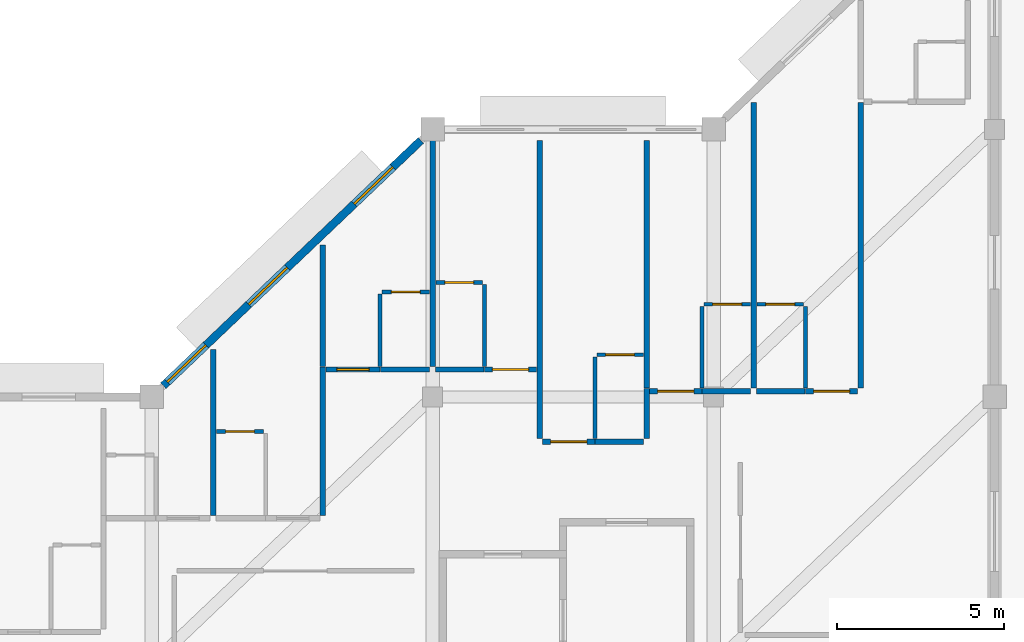
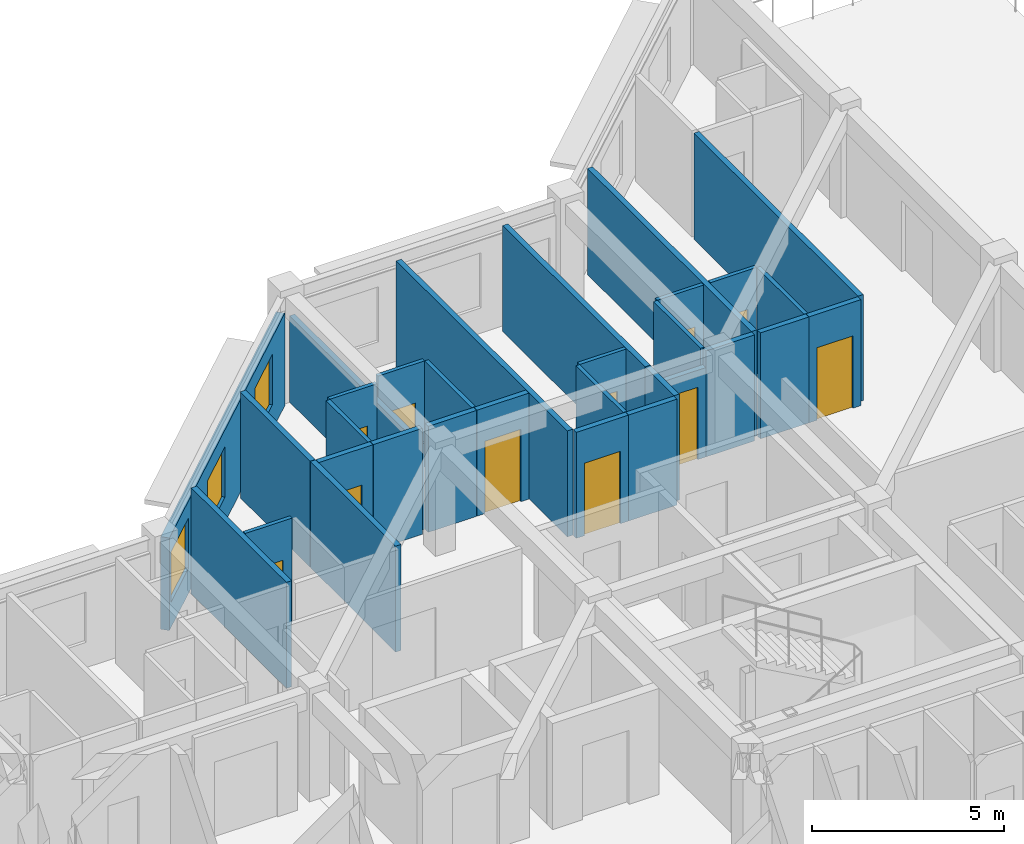
# One storey, part 11 of 15: 31 walls, 11 doors, 3 windows, 14 openings.
"""IFC4 building model written with IfcOpenShell, lengths in metres."""

from ifc_helpers import new_model, si_unit, direction, frame, frame_2d, origin, place, context, subcontext, project, spatial, rectangle, extrude, material, layer, layer_set, type_object, element, fill, save


model = new_model("IFC4")

# Units and contexts
model_context = context("Model", 3, precision=1e-05, world=origin(), true_north=direction((0.0, 1.0)))
body_context = subcontext(model_context, "Body", "Model", "MODEL_VIEW")
ifc_project = project(units=[si_unit("LENGTHUNIT", "METRE"), si_unit("AREAUNIT", "SQUARE_METRE"), si_unit("VOLUMEUNIT", "CUBIC_METRE"), si_unit("PLANEANGLEUNIT", "RADIAN"), si_unit("MASSUNIT", "GRAM", prefix="KILO")], contexts=[model_context])

# Site, building, storey
site_placement = place(None, origin())
site = spatial("IfcSite", under=ifc_project, at=site_placement, CompositionType="ELEMENT")
building_placement = place(site_placement, origin())
building = spatial("IfcBuilding", under=site, at=building_placement, Name="Naruveol Harbour Congress Hotel", CompositionType="ELEMENT")
storey_placement = place(building_placement, frame((0.0, 0.0, 36.0)))
storey = spatial("IfcBuildingStorey", under=building, at=storey_placement, Name="L08", CompositionType="ELEMENT", Elevation=36.0)

# Wall, opening, door
ifc_material_1 = material(Name="Moisture-Resistant Gypsum Partition", Category="gypsum")
ifc_layer_1 = layer(ifc_material_1, 0.114990234375)
ifc_layer_set_1 = layer_set([ifc_layer_1], Name="Moisture-Resistant Gypsum Partition")
wall_type_1 = type_object("IfcWallType", Name="BATHROOM MOISTURE PARTITION WALL 115", PredefinedType="PARTITIONING", material=ifc_layer_set_1)
wall_1_placement = place(storey_placement, frame((144.739990234375, 30.969970703125, 0.0), z_axis=(0.0, 0.0, 1.0), x_axis=(1.0, 0.0, 0.0)))
wall_1 = element("IfcWall", 1, at=wall_1_placement, inside=storey, type_object=wall_type_1, Name="Bathroom north wall 0944 PW-115", PredefinedType="PARTITIONING", context=body_context, shape_type="SweptSolid", body=[
    extrude(rectangle(XDim=1.409912109375, YDim=0.114990234375, at=frame_2d((0.705078125, 0.0))), origin(), (0.0, 0.0, 1.0), 3.364990234375),
])
opening_1_placement = place(wall_1_placement, frame((0.27490234375, 0.0, 0.0)))
opening_1 = element("IfcOpeningElement", 2, at=opening_1_placement, cuts=wall_1, Name="Opening BD-RM0944", PredefinedType="OPENING", context=body_context, shape_type="SweptSolid", body=[
    extrude(rectangle(XDim=0.860107421875, YDim=2.1201171875, at=frame_2d((0.43017578125, 1.06005859375))), frame((0.0, 0.0673828125, 0.0), z_axis=(0.0, -1.0, 0.0), x_axis=(1.0, 0.0, 0.0)), (0.0, 0.0, 1.0), 0.135009765625),
])
ifc_material_2 = material(Name="Timber & Steel Acoustic Leaf", Category="steel")
door_type_1 = type_object("IfcDoorType", Name="GUEST BATHROOM DOOR 860X2120", OperationType="NOTDEFINED", PredefinedType="DOOR", material=ifc_material_2)
door_1_placement = place(opening_1_placement, origin())
door_1 = element("IfcDoor", 3, at=door_1_placement, inside=storey, type_object=door_type_1, Name="Bathroom Door 0944", OperationType="SINGLE_SWING_RIGHT", OverallHeight=2.1201171875, OverallWidth=0.860107421875, PredefinedType="DOOR", context=body_context, shape_type="SweptSolid", body=[
    extrude(rectangle(XDim=0.860107421875, YDim=2.1201171875, at=frame_2d((0.43017578125, 1.06005859375))), frame((0.0, 0.02490234375, 0.0), z_axis=(0.0, -1.0, 0.0), x_axis=(1.0, 0.0, 0.0)), (0.0, 0.0, 1.0), 0.050048828125),
])
fill(opening_1, door_1)

# Wall
wall_2_placement = place(storey_placement, frame((149.6298828125, 32.909912109375, 0.0), z_axis=(0.0, 0.0, 1.0), x_axis=(0.0, 1.0, 0.0)))
element("IfcWall", 4, at=wall_2_placement, inside=storey, type_object=wall_type_1, Name="Bathroom west wall 0945 PW-115", PredefinedType="PARTITIONING", context=body_context, shape_type="SweptSolid", body=[
    extrude(rectangle(XDim=2.170166015625, YDim=0.114990234375, at=frame_2d((1.0849609375, 0.0))), origin(), (0.0, 0.0, 1.0), 3.364990234375),
])

# Wall, opening, door
wall_3_placement = place(storey_placement, frame((149.68994140625, 35.139892578125, 0.0), z_axis=(0.0, 0.0, 1.0), x_axis=(1.0, 0.0, 0.0)))
wall_3 = element("IfcWall", 5, at=wall_3_placement, inside=storey, type_object=wall_type_1, Name="Bathroom north wall 0945 PW-115", PredefinedType="PARTITIONING", context=body_context, shape_type="SweptSolid", body=[
    extrude(rectangle(XDim=1.41015625, YDim=0.114990234375, at=frame_2d((0.705078125, 0.0))), origin(), (0.0, 0.0, 1.0), 3.364990234375),
])
opening_2_placement = place(wall_3_placement, frame((0.27490234375, 0.0, 0.0)))
opening_2 = element("IfcOpeningElement", 6, at=opening_2_placement, cuts=wall_3, Name="Opening BD-RM0945", PredefinedType="OPENING", context=body_context, shape_type="SweptSolid", body=[
    extrude(rectangle(XDim=0.860107421875, YDim=2.1201171875, at=frame_2d((0.43017578125, 1.06005859375))), frame((0.0, 0.0673828125, 0.0), z_axis=(0.0, -1.0, 0.0), x_axis=(1.0, 0.0, 0.0)), (0.0, 0.0, 1.0), 0.135009765625),
])
door_2_placement = place(opening_2_placement, origin())
door_2 = element("IfcDoor", 7, at=door_2_placement, inside=storey, type_object=door_type_1, Name="Bathroom Door 0945", OperationType="SINGLE_SWING_RIGHT", OverallHeight=2.1201171875, OverallWidth=0.860107421875, PredefinedType="DOOR", context=body_context, shape_type="SweptSolid", body=[
    extrude(rectangle(XDim=0.860107421875, YDim=2.1201171875, at=frame_2d((0.43017578125, 1.06005859375))), frame((0.0, 0.02490234375, 0.0), z_axis=(0.0, -1.0, 0.0), x_axis=(1.0, 0.0, 0.0)), (0.0, 0.0, 1.0), 0.050048828125),
])
fill(opening_2, door_2)

# Wall
wall_4_placement = place(storey_placement, frame((152.75, 32.909912109375, 0.0), z_axis=(0.0, 0.0, 1.0), x_axis=(0.0, 1.0, 0.0)))
element("IfcWall", 8, at=wall_4_placement, inside=storey, type_object=wall_type_1, Name="Bathroom east wall 0946 PW-115", PredefinedType="PARTITIONING", context=body_context, shape_type="SweptSolid", body=[
    extrude(rectangle(XDim=2.4501953125, YDim=0.114990234375, at=frame_2d((1.22509765625, 0.0))), origin(), (0.0, 0.0, 1.0), 3.364990234375),
])

# Wall, opening, door
wall_5_placement = place(storey_placement, frame((151.300048828125, 35.419921875, 0.0), z_axis=(0.0, 0.0, 1.0), x_axis=(1.0, 0.0, 0.0)))
wall_5 = element("IfcWall", 9, at=wall_5_placement, inside=storey, type_object=wall_type_1, Name="Bathroom north wall 0946 PW-115", PredefinedType="PARTITIONING", context=body_context, shape_type="SweptSolid", body=[
    extrude(rectangle(XDim=1.389892578125, YDim=0.114990234375, at=frame_2d((0.69482421875, 0.0))), origin(), (0.0, 0.0, 1.0), 3.364990234375),
])
opening_3_placement = place(wall_5_placement, frame((0.264892578125, 0.0, 0.0)))
opening_3 = element("IfcOpeningElement", 10, at=opening_3_placement, cuts=wall_5, Name="Opening BD-RM0946", PredefinedType="OPENING", context=body_context, shape_type="SweptSolid", body=[
    extrude(rectangle(XDim=0.860107421875, YDim=2.1201171875, at=frame_2d((0.43017578125, 1.06005859375))), frame((0.0, 0.0673828125, 0.0), z_axis=(0.0, -1.0, 0.0), x_axis=(1.0, 0.0, 0.0)), (0.0, 0.0, 1.0), 0.135009765625),
])
door_3_placement = place(opening_3_placement, origin())
door_3 = element("IfcDoor", 11, at=door_3_placement, inside=storey, type_object=door_type_1, Name="Bathroom Door 0946", OperationType="SINGLE_SWING_RIGHT", OverallHeight=2.1201171875, OverallWidth=0.860107421875, PredefinedType="DOOR", context=body_context, shape_type="SweptSolid", body=[
    extrude(rectangle(XDim=0.860107421875, YDim=2.1201171875, at=frame_2d((0.43017578125, 1.06005859375))), frame((0.0, 0.02490234375, 0.0), z_axis=(0.0, -1.0, 0.0), x_axis=(1.0, 0.0, 0.0)), (0.0, 0.0, 1.0), 0.050048828125),
])
fill(opening_3, door_3)

# Wall
wall_6_placement = place(storey_placement, frame((156.050048828125, 30.75, 0.0), z_axis=(0.0, 0.0, 1.0), x_axis=(0.0, 1.0, 0.0)))
element("IfcWall", 12, at=wall_6_placement, inside=storey, type_object=wall_type_1, Name="Bathroom west wall 0947 PW-115", PredefinedType="PARTITIONING", context=body_context, shape_type="SweptSolid", body=[
    extrude(rectangle(XDim=2.449951171875, YDim=0.114990234375, at=frame_2d((1.22509765625, 0.0))), origin(), (0.0, 0.0, 1.0), 3.364990234375),
])

# Wall, opening, door
wall_7_placement = place(storey_placement, frame((156.110107421875, 33.260009765625, 0.0), z_axis=(0.0, 0.0, 1.0), x_axis=(1.0, 0.0, 0.0)))
wall_7 = element("IfcWall", 13, at=wall_7_placement, inside=storey, type_object=wall_type_1, Name="Bathroom north wall 0947 PW-115", PredefinedType="PARTITIONING", context=body_context, shape_type="SweptSolid", body=[
    extrude(rectangle(XDim=1.389892578125, YDim=0.114990234375, at=frame_2d((0.69482421875, 0.0))), origin(), (0.0, 0.0, 1.0), 3.364990234375),
])
opening_4_placement = place(wall_7_placement, frame((0.264892578125, 0.0, 0.0)))
opening_4 = element("IfcOpeningElement", 14, at=opening_4_placement, cuts=wall_7, Name="Opening BD-RM0947", PredefinedType="OPENING", context=body_context, shape_type="SweptSolid", body=[
    extrude(rectangle(XDim=0.860107421875, YDim=2.1201171875, at=frame_2d((0.43017578125, 1.06005859375))), frame((0.0, 0.0673828125, 0.0), z_axis=(0.0, -1.0, 0.0), x_axis=(1.0, 0.0, 0.0)), (0.0, 0.0, 1.0), 0.135009765625),
])
door_4_placement = place(opening_4_placement, origin())
door_4 = element("IfcDoor", 15, at=door_4_placement, inside=storey, type_object=door_type_1, Name="Bathroom Door 0947", OperationType="SINGLE_SWING_RIGHT", OverallHeight=2.1201171875, OverallWidth=0.860107421875, PredefinedType="DOOR", context=body_context, shape_type="SweptSolid", body=[
    extrude(rectangle(XDim=0.860107421875, YDim=2.1201171875, at=frame_2d((0.43017578125, 1.06005859375))), frame((0.0, 0.02490234375, 0.0), z_axis=(0.0, -1.0, 0.0), x_axis=(1.0, 0.0, 0.0)), (0.0, 0.0, 1.0), 0.050048828125),
])
fill(opening_4, door_4)

# Wall
wall_8_placement = place(storey_placement, frame((159.25, 32.260009765625, 0.0), z_axis=(0.0, 0.0, 1.0), x_axis=(0.0, 1.0, 0.0)))
element("IfcWall", 16, at=wall_8_placement, inside=storey, type_object=wall_type_1, Name="Bathroom west wall 0948 PW-115", PredefinedType="PARTITIONING", context=body_context, shape_type="SweptSolid", body=[
    extrude(rectangle(XDim=2.449951171875, YDim=0.114990234375, at=frame_2d((1.22509765625, 0.0))), origin(), (0.0, 0.0, 1.0), 3.364990234375),
])

# Wall, opening, door
wall_9_placement = place(storey_placement, frame((159.31005859375, 34.77001953125, 0.0), z_axis=(0.0, 0.0, 1.0), x_axis=(1.0, 0.0, 0.0)))
wall_9 = element("IfcWall", 17, at=wall_9_placement, inside=storey, type_object=wall_type_1, Name="Bathroom north wall 0948 PW-115", PredefinedType="PARTITIONING", context=body_context, shape_type="SweptSolid", body=[
    extrude(rectangle(XDim=1.389892578125, YDim=0.114990234375, at=frame_2d((0.69482421875, 0.0))), origin(), (0.0, 0.0, 1.0), 3.364990234375),
])
opening_5_placement = place(wall_9_placement, frame((0.264892578125, 0.0, 0.0)))
opening_5 = element("IfcOpeningElement", 18, at=opening_5_placement, cuts=wall_9, Name="Opening BD-RM0948", PredefinedType="OPENING", context=body_context, shape_type="SweptSolid", body=[
    extrude(rectangle(XDim=0.860107421875, YDim=2.1201171875, at=frame_2d((0.43017578125, 1.06005859375))), frame((0.0, 0.0673828125, 0.0), z_axis=(0.0, -1.0, 0.0), x_axis=(1.0, 0.0, 0.0)), (0.0, 0.0, 1.0), 0.135009765625),
])
door_5_placement = place(opening_5_placement, origin())
door_5 = element("IfcDoor", 19, at=door_5_placement, inside=storey, type_object=door_type_1, Name="Bathroom Door 0948", OperationType="SINGLE_SWING_RIGHT", OverallHeight=2.1201171875, OverallWidth=0.860107421875, PredefinedType="DOOR", context=body_context, shape_type="SweptSolid", body=[
    extrude(rectangle(XDim=0.860107421875, YDim=2.1201171875, at=frame_2d((0.43017578125, 1.06005859375))), frame((0.0, 0.02490234375, 0.0), z_axis=(0.0, -1.0, 0.0), x_axis=(1.0, 0.0, 0.0)), (0.0, 0.0, 1.0), 0.050048828125),
])
fill(opening_5, door_5)

# Wall
wall_10_placement = place(storey_placement, frame((162.35009765625, 32.260009765625, 0.0), z_axis=(0.0, 0.0, 1.0), x_axis=(0.0, 1.0, 0.0)))
element("IfcWall", 20, at=wall_10_placement, inside=storey, type_object=wall_type_1, Name="Bathroom east wall 0949 PW-115", PredefinedType="PARTITIONING", context=body_context, shape_type="SweptSolid", body=[
    extrude(rectangle(XDim=2.449951171875, YDim=0.114990234375, at=frame_2d((1.22509765625, 0.0))), origin(), (0.0, 0.0, 1.0), 3.364990234375),
])

# Wall, opening, door
wall_11_placement = place(storey_placement, frame((160.89990234375, 34.77001953125, 0.0), z_axis=(0.0, 0.0, 1.0), x_axis=(1.0, 0.0, 0.0)))
wall_11 = element("IfcWall", 21, at=wall_11_placement, inside=storey, type_object=wall_type_1, Name="Bathroom north wall 0949 PW-115", PredefinedType="PARTITIONING", context=body_context, shape_type="SweptSolid", body=[
    extrude(rectangle(XDim=1.39013671875, YDim=0.114990234375, at=frame_2d((0.695068359375, 0.0))), origin(), (0.0, 0.0, 1.0), 3.364990234375),
])
opening_6_placement = place(wall_11_placement, frame((0.264892578125, 0.0, 0.0)))
opening_6 = element("IfcOpeningElement", 22, at=opening_6_placement, cuts=wall_11, Name="Opening BD-RM0949", PredefinedType="OPENING", context=body_context, shape_type="SweptSolid", body=[
    extrude(rectangle(XDim=0.860107421875, YDim=2.1201171875, at=frame_2d((0.43017578125, 1.06005859375))), frame((0.0, 0.0673828125, 0.0), z_axis=(0.0, -1.0, 0.0), x_axis=(1.0, 0.0, 0.0)), (0.0, 0.0, 1.0), 0.135009765625),
])
door_6_placement = place(opening_6_placement, origin())
door_6 = element("IfcDoor", 23, at=door_6_placement, inside=storey, type_object=door_type_1, Name="Bathroom Door 0949", OperationType="SINGLE_SWING_RIGHT", OverallHeight=2.1201171875, OverallWidth=0.860107421875, PredefinedType="DOOR", context=body_context, shape_type="SweptSolid", body=[
    extrude(rectangle(XDim=0.860107421875, YDim=2.1201171875, at=frame_2d((0.43017578125, 1.06005859375))), frame((0.0, 0.02490234375, 0.0), z_axis=(0.0, -1.0, 0.0), x_axis=(1.0, 0.0, 0.0)), (0.0, 0.0, 1.0), 0.050048828125),
])
fill(opening_6, door_6)

# Walls
ifc_material_3 = material(Name="Autoclaved Aerated Concrete Block", Category="concrete")
ifc_layer_2 = layer(ifc_material_3, 0.159912109375)
ifc_layer_set_2 = layer_set([ifc_layer_2], Name="Autoclaved Aerated Concrete Block")
wall_type_2 = type_object("IfcWallType", Name="HOTEL PARTY AND CORRIDOR WALL 160 EI60", PredefinedType="PARTITIONING", material=ifc_layer_set_2)
wall_12_placement = place(storey_placement, frame((144.639892578125, 28.4599609375, 0.0), z_axis=(0.0, 0.0, 1.0), x_axis=(0.0, 1.0, 0.0)))
element("IfcWall", 24, at=wall_12_placement, inside=storey, type_object=wall_type_2, Name="Hotel party wall 0944 PW-160", PredefinedType="PARTITIONING", context=body_context, shape_type="SweptSolid", body=[
    extrude(rectangle(XDim=4.949951171875, YDim=0.159912109375, at=frame_2d((2.47509765625, 0.0))), origin(), (0.0, 0.0, 1.0), 3.364990234375),
])
wall_13_placement = place(storey_placement, frame((147.919921875, 28.4599609375, 0.0), z_axis=(0.0, 0.0, 1.0), x_axis=(0.0, 1.0, 0.0)))
element("IfcWall", 25, at=wall_13_placement, inside=storey, type_object=wall_type_2, Name="Hotel end party wall 0944 PW-160", PredefinedType="PARTITIONING", context=body_context, shape_type="SweptSolid", body=[
    extrude(rectangle(XDim=4.43994140625, YDim=0.159912109375, at=frame_2d((2.219970703125, 0.0))), origin(), (0.0, 0.0, 1.0), 3.364990234375),
])

# Wall, opening, door
wall_14_placement = place(storey_placement, frame((148.010009765625, 32.820068359375, 0.0), z_axis=(0.0, 0.0, 1.0), x_axis=(1.0, 0.0, 0.0)))
wall_14 = element("IfcWall", 26, at=wall_14_placement, inside=storey, type_object=wall_type_2, Name="Corridor entry wall 0945 PW-160", PredefinedType="PARTITIONING", context=body_context, shape_type="SweptSolid", body=[
    extrude(rectangle(XDim=1.619873046875, YDim=0.159912109375, at=frame_2d((0.81005859375, 0.0))), origin(), (0.0, 0.0, 1.0), 3.364990234375),
])
opening_7_placement = place(wall_14_placement, frame((0.330078125, 0.0, 0.0)))
opening_7 = element("IfcOpeningElement", 27, at=opening_7_placement, cuts=wall_14, Name="Opening FD-RM0945", PredefinedType="OPENING", context=body_context, shape_type="SweptSolid", body=[
    extrude(rectangle(XDim=0.9599609375, YDim=2.199951171875, at=frame_2d((0.47998046875, 1.10009765625))), frame((0.0, 0.08984375, 0.0), z_axis=(0.0, -1.0, 0.0), x_axis=(1.0, 0.0, 0.0)), (0.0, 0.0, 1.0), 0.179931640625),
])
ifc_material_4 = material(Name="Timber & Steel Acoustic Leaf", Category="steel")
door_type_2 = type_object("IfcDoorType", Name="GUEST ROOM ENTRANCE FIRE DOOR 960X2200", OperationType="NOTDEFINED", PredefinedType="DOOR", material=ifc_material_4)
door_7_placement = place(opening_7_placement, origin())
door_7 = element("IfcDoor", 28, at=door_7_placement, inside=storey, type_object=door_type_2, Name="Hotel Room Door 0945", OperationType="SINGLE_SWING_LEFT", OverallHeight=2.199951171875, OverallWidth=0.9599609375, PredefinedType="DOOR", context=body_context, shape_type="SweptSolid", body=[
    extrude(rectangle(XDim=0.9599609375, YDim=2.199951171875, at=frame_2d((0.47998046875, 1.10009765625))), frame((0.0, 0.02490234375, 0.0), z_axis=(0.0, -1.0, 0.0), x_axis=(1.0, 0.0, 0.0)), (0.0, 0.0, 1.0), 0.050048828125),
])
fill(opening_7, door_7)

# Walls
wall_15_placement = place(storey_placement, frame((149.639892578125, 32.820068359375, 0.0), z_axis=(0.0, 0.0, 1.0), x_axis=(1.0, 0.0, 0.0)))
element("IfcWall", 29, at=wall_15_placement, inside=storey, type_object=wall_type_2, Name="Corridor wall 0945B PW-160", PredefinedType="PARTITIONING", context=body_context, shape_type="SweptSolid", body=[
    extrude(rectangle(XDim=1.47021484375, YDim=0.159912109375, at=frame_2d((0.735107421875, 0.0))), origin(), (0.0, 0.0, 1.0), 3.364990234375),
])
wall_16_placement = place(storey_placement, frame((147.919921875, 32.909912109375, 0.0), z_axis=(0.0, 0.0, 1.0), x_axis=(0.0, 1.0, 0.0)))
element("IfcWall", 30, at=wall_16_placement, inside=storey, type_object=wall_type_2, Name="Hotel party wall 0945 PW-160", PredefinedType="PARTITIONING", context=body_context, shape_type="SweptSolid", body=[
    extrude(rectangle(XDim=3.630126953125, YDim=0.159912109375, at=frame_2d((1.81494140625, 0.0))), origin(), (0.0, 0.0, 1.0), 3.364990234375),
])
wall_17_placement = place(storey_placement, frame((151.2900390625, 32.820068359375, 0.0), z_axis=(0.0, 0.0, 1.0), x_axis=(1.0, 0.0, 0.0)))
element("IfcWall", 31, at=wall_17_placement, inside=storey, type_object=wall_type_2, Name="Corridor wall 0946B PW-160", PredefinedType="PARTITIONING", context=body_context, shape_type="SweptSolid", body=[
    extrude(rectangle(XDim=1.449951171875, YDim=0.159912109375, at=frame_2d((0.72509765625, 0.0))), origin(), (0.0, 0.0, 1.0), 3.364990234375),
])

# Wall, opening, door
wall_18_placement = place(storey_placement, frame((152.75, 32.820068359375, 0.0), z_axis=(0.0, 0.0, 1.0), x_axis=(1.0, 0.0, 0.0)))
wall_18 = element("IfcWall", 32, at=wall_18_placement, inside=storey, type_object=wall_type_2, Name="Corridor entry wall 0946 PW-160", PredefinedType="PARTITIONING", context=body_context, shape_type="SweptSolid", body=[
    extrude(rectangle(XDim=1.56005859375, YDim=0.159912109375, at=frame_2d((0.780029296875, 0.0))), origin(), (0.0, 0.0, 1.0), 3.364990234375),
])
opening_8_placement = place(wall_18_placement, frame((0.239990234375, 0.0, 0.0)))
opening_8 = element("IfcOpeningElement", 33, at=opening_8_placement, cuts=wall_18, Name="Opening FD-RM0946", PredefinedType="OPENING", context=body_context, shape_type="SweptSolid", body=[
    extrude(rectangle(XDim=1.080078125, YDim=2.300048828125, at=frame_2d((0.5400390625, 1.14990234375))), frame((0.0, 0.08984375, 0.0), z_axis=(0.0, -1.0, 0.0), x_axis=(1.0, 0.0, 0.0)), (0.0, 0.0, 1.0), 0.179931640625),
])
ifc_material_5 = material(Name="Timber & Steel Acoustic Leaf", Category="steel")
door_type_3 = type_object("IfcDoorType", Name="SUITE ENTRANCE FIRE DOOR 1080X2300", OperationType="NOTDEFINED", PredefinedType="DOOR", material=ifc_material_5)
door_8_placement = place(opening_8_placement, origin())
door_8 = element("IfcDoor", 34, at=door_8_placement, inside=storey, type_object=door_type_3, Name="Hotel Room Door 0946", OperationType="SINGLE_SWING_LEFT", OverallHeight=2.300048828125, OverallWidth=1.080078125, PredefinedType="DOOR", context=body_context, shape_type="SweptSolid", body=[
    extrude(rectangle(XDim=1.080078125, YDim=2.300048828125, at=frame_2d((0.5400390625, 1.14990234375))), frame((0.0, 0.02490234375, 0.0), z_axis=(0.0, -1.0, 0.0), x_axis=(1.0, 0.0, 0.0)), (0.0, 0.0, 1.0), 0.050048828125),
])
fill(opening_8, door_8)

# Wall
wall_19_placement = place(storey_placement, frame((151.199951171875, 32.909912109375, 0.0), z_axis=(0.0, 0.0, 1.0), x_axis=(0.0, 1.0, 0.0)))
element("IfcWall", 35, at=wall_19_placement, inside=storey, type_object=wall_type_2, Name="Hotel party wall 0946 PW-160", PredefinedType="PARTITIONING", context=body_context, shape_type="SweptSolid", body=[
    extrude(rectangle(XDim=6.75, YDim=0.159912109375, at=frame_2d((3.375, 0.0))), origin(), (0.0, 0.0, 1.0), 2.739990234375),
])

# Wall, opening, door
wall_20_placement = place(storey_placement, frame((154.489990234375, 30.659912109375, 0.0), z_axis=(0.0, 0.0, 1.0), x_axis=(1.0, 0.0, 0.0)))
wall_20 = element("IfcWall", 36, at=wall_20_placement, inside=storey, type_object=wall_type_2, Name="Corridor entry wall 0947 PW-160", PredefinedType="PARTITIONING", context=body_context, shape_type="SweptSolid", body=[
    extrude(rectangle(XDim=1.56005859375, YDim=0.159912109375, at=frame_2d((0.780029296875, 0.0))), origin(), (0.0, 0.0, 1.0), 3.364990234375),
])
opening_9_placement = place(wall_20_placement, frame((0.239990234375, 0.0, 0.0)))
opening_9 = element("IfcOpeningElement", 37, at=opening_9_placement, cuts=wall_20, Name="Opening FD-RM0947", PredefinedType="OPENING", context=body_context, shape_type="SweptSolid", body=[
    extrude(rectangle(XDim=1.080078125, YDim=2.300048828125, at=frame_2d((0.5400390625, 1.14990234375))), frame((0.0, 0.08984375, 0.0), z_axis=(0.0, -1.0, 0.0), x_axis=(1.0, 0.0, 0.0)), (0.0, 0.0, 1.0), 0.179931640625),
])
door_9_placement = place(opening_9_placement, origin())
door_9 = element("IfcDoor", 38, at=door_9_placement, inside=storey, type_object=door_type_3, Name="Hotel Room Door 0947", OperationType="SINGLE_SWING_LEFT", OverallHeight=2.300048828125, OverallWidth=1.080078125, PredefinedType="DOOR", context=body_context, shape_type="SweptSolid", body=[
    extrude(rectangle(XDim=1.080078125, YDim=2.300048828125, at=frame_2d((0.5400390625, 1.14990234375))), frame((0.0, 0.02490234375, 0.0), z_axis=(0.0, -1.0, 0.0), x_axis=(1.0, 0.0, 0.0)), (0.0, 0.0, 1.0), 0.050048828125),
])
fill(opening_9, door_9)

# Walls
wall_21_placement = place(storey_placement, frame((156.06005859375, 30.659912109375, 0.0), z_axis=(0.0, 0.0, 1.0), x_axis=(1.0, 0.0, 0.0)))
element("IfcWall", 39, at=wall_21_placement, inside=storey, type_object=wall_type_2, Name="Corridor wall 0947B PW-160", PredefinedType="PARTITIONING", context=body_context, shape_type="SweptSolid", body=[
    extrude(rectangle(XDim=1.449951171875, YDim=0.159912109375, at=frame_2d((0.72509765625, 0.0))), origin(), (0.0, 0.0, 1.0), 3.364990234375),
])
wall_22_placement = place(storey_placement, frame((154.39990234375, 30.75, 0.0), z_axis=(0.0, 0.0, 1.0), x_axis=(0.0, 1.0, 0.0)))
element("IfcWall", 40, at=wall_22_placement, inside=storey, type_object=wall_type_2, Name="Hotel party wall 0947 PW-160", PredefinedType="PARTITIONING", context=body_context, shape_type="SweptSolid", body=[
    extrude(rectangle(XDim=8.909912109375, YDim=0.159912109375, at=frame_2d((4.455078125, 0.0))), origin(), (0.0, 0.0, 1.0), 3.364990234375),
])
wall_23_placement = place(storey_placement, frame((157.60009765625, 30.75, 0.0), z_axis=(0.0, 0.0, 1.0), x_axis=(0.0, 1.0, 0.0)))
element("IfcWall", 41, at=wall_23_placement, inside=storey, type_object=wall_type_2, Name="Hotel end party wall 0947 PW-160", PredefinedType="PARTITIONING", context=body_context, shape_type="SweptSolid", body=[
    extrude(rectangle(XDim=1.5, YDim=0.159912109375, at=frame_2d((0.75, 0.0))), origin(), (0.0, 0.0, 1.0), 3.364990234375),
])

# Wall, opening, door
wall_24_placement = place(storey_placement, frame((157.68994140625, 32.169921875, 0.0), z_axis=(0.0, 0.0, 1.0), x_axis=(1.0, 0.0, 0.0)))
wall_24 = element("IfcWall", 42, at=wall_24_placement, inside=storey, type_object=wall_type_2, Name="Corridor entry wall 0948 PW-160", PredefinedType="PARTITIONING", context=body_context, shape_type="SweptSolid", body=[
    extrude(rectangle(XDim=1.56005859375, YDim=0.159912109375, at=frame_2d((0.780029296875, 0.0))), origin(), (0.0, 0.0, 1.0), 2.840087890625),
])
opening_10_placement = place(wall_24_placement, frame((0.239990234375, 0.0, 0.0)))
opening_10 = element("IfcOpeningElement", 43, at=opening_10_placement, cuts=wall_24, Name="Opening FD-RM0948", PredefinedType="OPENING", context=body_context, shape_type="SweptSolid", body=[
    extrude(rectangle(XDim=1.080078125, YDim=2.300048828125, at=frame_2d((0.5400390625, 1.14990234375))), frame((0.0, 0.08984375, 0.0), z_axis=(0.0, -1.0, 0.0), x_axis=(1.0, 0.0, 0.0)), (0.0, 0.0, 1.0), 0.179931640625),
])
door_10_placement = place(opening_10_placement, origin())
door_10 = element("IfcDoor", 44, at=door_10_placement, inside=storey, type_object=door_type_3, Name="Hotel Room Door 0948", OperationType="SINGLE_SWING_LEFT", OverallHeight=2.300048828125, OverallWidth=1.080078125, PredefinedType="DOOR", context=body_context, shape_type="SweptSolid", body=[
    extrude(rectangle(XDim=1.080078125, YDim=2.300048828125, at=frame_2d((0.5400390625, 1.14990234375))), frame((0.0, 0.02490234375, 0.0), z_axis=(0.0, -1.0, 0.0), x_axis=(1.0, 0.0, 0.0)), (0.0, 0.0, 1.0), 0.050048828125),
])
fill(opening_10, door_10)

# Walls
wall_25_placement = place(storey_placement, frame((159.260009765625, 32.169921875, 0.0), z_axis=(0.0, 0.0, 1.0), x_axis=(1.0, 0.0, 0.0)))
element("IfcWall", 45, at=wall_25_placement, inside=storey, type_object=wall_type_2, Name="Corridor wall 0948B PW-160", PredefinedType="PARTITIONING", context=body_context, shape_type="SweptSolid", body=[
    extrude(rectangle(XDim=1.449951171875, YDim=0.159912109375, at=frame_2d((0.72509765625, 0.0))), origin(), (0.0, 0.0, 1.0), 3.364990234375),
])
wall_26_placement = place(storey_placement, frame((157.60009765625, 32.260009765625, 0.0), z_axis=(0.0, 0.0, 1.0), x_axis=(0.0, 1.0, 0.0)))
element("IfcWall", 46, at=wall_26_placement, inside=storey, type_object=wall_type_2, Name="Hotel party wall 0948 PW-160", PredefinedType="PARTITIONING", context=body_context, shape_type="SweptSolid", body=[
    extrude(rectangle(XDim=7.39990234375, YDim=0.159912109375, at=frame_2d((3.699951171875, 0.0))), origin(), (0.0, 0.0, 1.0), 3.364990234375),
])
wall_27_placement = place(storey_placement, frame((160.889892578125, 32.169921875, 0.0), z_axis=(0.0, 0.0, 1.0), x_axis=(1.0, 0.0, 0.0)))
element("IfcWall", 47, at=wall_27_placement, inside=storey, type_object=wall_type_2, Name="Corridor wall 0949B PW-160", PredefinedType="PARTITIONING", context=body_context, shape_type="SweptSolid", body=[
    extrude(rectangle(XDim=1.4501953125, YDim=0.159912109375, at=frame_2d((0.72509765625, 0.0))), origin(), (0.0, 0.0, 1.0), 3.364990234375),
])

# Wall, opening, door
wall_28_placement = place(storey_placement, frame((162.35009765625, 32.169921875, 0.0), z_axis=(0.0, 0.0, 1.0), x_axis=(1.0, 0.0, 0.0)))
wall_28 = element("IfcWall", 48, at=wall_28_placement, inside=storey, type_object=wall_type_2, Name="Corridor entry wall 0949 PW-160", PredefinedType="PARTITIONING", context=body_context, shape_type="SweptSolid", body=[
    extrude(rectangle(XDim=1.559814453125, YDim=0.159912109375, at=frame_2d((0.77978515625, 0.0))), origin(), (0.0, 0.0, 1.0), 3.364990234375),
])
opening_11_placement = place(wall_28_placement, frame((0.239990234375, 0.0, 0.0)))
opening_11 = element("IfcOpeningElement", 49, at=opening_11_placement, cuts=wall_28, Name="Opening FD-RM0949", PredefinedType="OPENING", context=body_context, shape_type="SweptSolid", body=[
    extrude(rectangle(XDim=1.080078125, YDim=2.300048828125, at=frame_2d((0.5400390625, 1.14990234375))), frame((0.0, 0.08984375, 0.0), z_axis=(0.0, -1.0, 0.0), x_axis=(1.0, 0.0, 0.0)), (0.0, 0.0, 1.0), 0.179931640625),
])
door_11_placement = place(opening_11_placement, origin())
door_11 = element("IfcDoor", 50, at=door_11_placement, inside=storey, type_object=door_type_3, Name="Hotel Room Door 0949", OperationType="SINGLE_SWING_LEFT", OverallHeight=2.300048828125, OverallWidth=1.080078125, PredefinedType="DOOR", context=body_context, shape_type="SweptSolid", body=[
    extrude(rectangle(XDim=1.080078125, YDim=2.300048828125, at=frame_2d((0.5400390625, 1.14990234375))), frame((0.0, 0.02490234375, 0.0), z_axis=(0.0, -1.0, 0.0), x_axis=(1.0, 0.0, 0.0)), (0.0, 0.0, 1.0), 0.050048828125),
])
fill(opening_11, door_11)

# Walls
for number, where, z_axis, x_axis, name in (
    (51, (160.800048828125, 32.260009765625, 0.0), (0.0, 0.0, 1.0), (0.0, 1.0, 0.0), "Hotel party wall 0949 PW-160"),
    (52, (164.0, 32.260009765625, 0.0), (0.0, 0.0, 1.0), (0.0, 1.0, 0.0), "Hotel end party wall 0949 PW-160"),
):
    element("IfcWall", number, at=place(storey_placement, frame(where, z_axis=z_axis, x_axis=x_axis)), inside=storey, type_object=wall_type_2, Name=name, PredefinedType="PARTITIONING", context=body_context, shape_type="SweptSolid", body=[
        extrude(rectangle(XDim=8.5400390625, YDim=0.159912109375, at=frame_2d((4.27001953125, 0.0))), origin(), (0.0, 0.0, 1.0), 3.364990234375),
    ])

# Wall, openings, windows
ifc_material_6 = material(Name="Concrete C40/50", Category="concrete")
ifc_layer_3 = layer(ifc_material_6, 0.239990234375)
ifc_layer_set_3 = layer_set([ifc_layer_3], Name="Concrete C40/50")
wall_type_3 = type_object("IfcWallType", Name="INSULATED HOTEL SPANDREL WALL 240", PredefinedType="SOLIDWALL", material=ifc_layer_set_3)
wall_29_placement = place(storey_placement, frame((143.14990234375, 32.3330078125, 0.0), z_axis=(0.0, 0.0, 1.0), x_axis=(0.724116091282, 0.689678103427, 0.0)))
wall_29 = element("IfcWall", 53, at=wall_29_placement, inside=storey, type_object=wall_type_3, Name="Hotel north bay wall L08 EW-240", PredefinedType="SOLIDWALL", context=body_context, shape_type="SweptSolid", body=[
    extrude(rectangle(XDim=10.634033203125, YDim=0.239990234375, at=frame_2d((5.31689453125, 0.0))), origin(), (0.0, 0.0, 1.0), 2.93994140625),
])
opening_12_placement = place(wall_29_placement, frame((0.159912109375, 0.0, 0.800048828125)))
opening_12 = element("IfcOpeningElement", 54, at=opening_12_placement, cuts=wall_29, Name="Opening W-03", PredefinedType="OPENING", context=body_context, shape_type="SweptSolid", body=[
    extrude(rectangle(XDim=1.60009765625, YDim=1.60009765625, at=frame_2d((0.800048828125, 0.800048828125))), frame((0.0, 0.1298828125, 0.0), z_axis=(0.0, -1.0, 0.0), x_axis=(1.0, 0.0, 0.0)), (0.0, 0.0, 1.0), 0.260009765625),
])
opening_13_placement = place(wall_29_placement, frame((3.52294921875, 0.0, 0.800048828125)))
opening_13 = element("IfcOpeningElement", 55, at=opening_13_placement, cuts=wall_29, Name="Opening W-03", PredefinedType="OPENING", context=body_context, shape_type="SweptSolid", body=[
    extrude(rectangle(XDim=1.60009765625, YDim=1.60009765625, at=frame_2d((0.800048828125, 0.800048828125))), frame((0.0, 0.1298828125, 0.0), z_axis=(0.0, -1.0, 0.0), x_axis=(1.0, 0.0, 0.0)), (0.0, 0.0, 1.0), 0.260009765625),
])
opening_14_placement = place(wall_29_placement, frame((7.8798828125, 0.0, 0.800048828125)))
opening_14 = element("IfcOpeningElement", 56, at=opening_14_placement, cuts=wall_29, Name="Opening W-03", PredefinedType="OPENING", context=body_context, shape_type="SweptSolid", body=[
    extrude(rectangle(XDim=1.60009765625, YDim=1.60009765625, at=frame_2d((0.800048828125, 0.800048828125))), frame((0.0, 0.1298828125, 0.0), z_axis=(0.0, -1.0, 0.0), x_axis=(1.0, 0.0, 0.0)), (0.0, 0.0, 1.0), 0.260009765625),
])
ifc_material_7 = material(Name="Low-E Triple Glazing in Thermal Aluminium", Category="aluminium")
window_type = type_object("IfcWindowType", Name="DELUXE GUEST WINDOW 1600X1600", PartitioningType="SINGLE_PANEL", PredefinedType="WINDOW", material=ifc_material_7)
window_1_placement = place(opening_12_placement, origin())
window_1 = element("IfcWindow", 57, at=window_1_placement, inside=storey, type_object=window_type, Name="Window W-03 #428", OverallHeight=1.60009765625, OverallWidth=1.60009765625, PartitioningType="SINGLE_PANEL", PredefinedType="WINDOW", context=body_context, shape_type="SweptSolid", body=[
    extrude(rectangle(XDim=1.60009765625, YDim=1.60009765625, at=frame_2d((0.800048828125, 0.800048828125))), frame((0.0, 0.030029296875, 0.0), z_axis=(0.0, -1.0, 0.0), x_axis=(1.0, 0.0, 0.0)), (0.0, 0.0, 1.0), 0.06005859375),
])
fill(opening_12, window_1)
window_2_placement = place(opening_13_placement, origin())
window_2 = element("IfcWindow", 58, at=window_2_placement, inside=storey, type_object=window_type, Name="Window W-03 #429", OverallHeight=1.60009765625, OverallWidth=1.60009765625, PartitioningType="SINGLE_PANEL", PredefinedType="WINDOW", context=body_context, shape_type="SweptSolid", body=[
    extrude(rectangle(XDim=1.60009765625, YDim=1.60009765625, at=frame_2d((0.800048828125, 0.800048828125))), frame((0.0, 0.030029296875, 0.0), z_axis=(0.0, -1.0, 0.0), x_axis=(1.0, 0.0, 0.0)), (0.0, 0.0, 1.0), 0.06005859375),
])
fill(opening_13, window_2)
window_3_placement = place(opening_14_placement, origin())
window_3 = element("IfcWindow", 59, at=window_3_placement, inside=storey, type_object=window_type, Name="Window W-03 #430", OverallHeight=1.60009765625, OverallWidth=1.60009765625, PartitioningType="SINGLE_PANEL", PredefinedType="WINDOW", context=body_context, shape_type="SweptSolid", body=[
    extrude(rectangle(XDim=1.60009765625, YDim=1.60009765625, at=frame_2d((0.800048828125, 0.800048828125))), frame((0.0, 0.030029296875, 0.0), z_axis=(0.0, -1.0, 0.0), x_axis=(1.0, 0.0, 0.0)), (0.0, 0.0, 1.0), 0.06005859375),
])
fill(opening_14, window_3)

save(model, "model.ifc")
